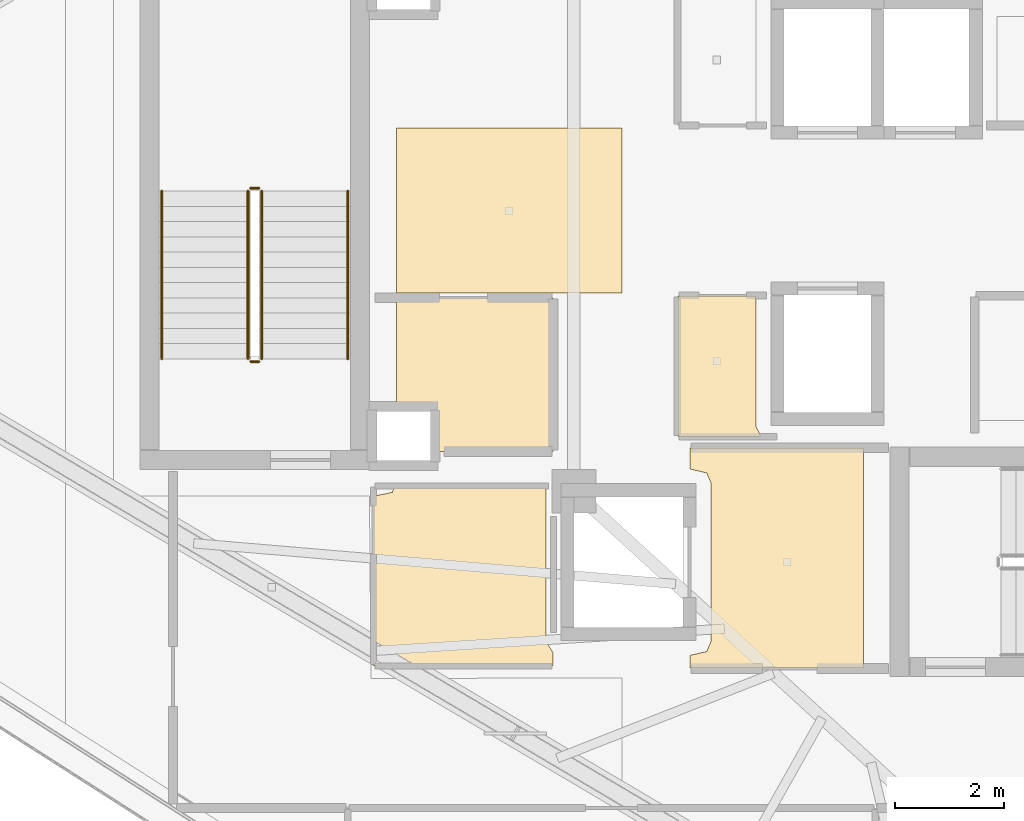
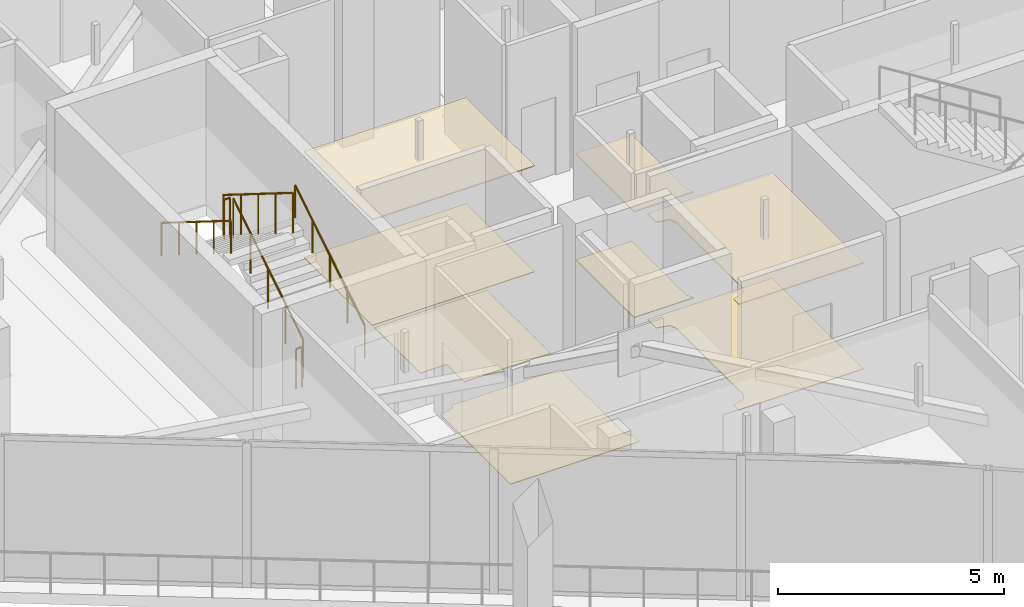
# One storey, part 27 of 30: 8 coverings, 6 railings.
"""IFC4 building model written with IfcOpenShell, lengths in metres."""

from ifc_helpers import new_model, si_unit, direction, frame, origin, origin_2d, place, context, subcontext, project, spatial, polyline, circle, outline, extrude, material, layer, layer_set, type_object, element, save


model = new_model("IFC4")

# Units and contexts
model_context = context("Model", 3, precision=1e-05, world=origin(), true_north=direction((0.0, 1.0)))
body_context = subcontext(model_context, "Body", "Model", "MODEL_VIEW")
ifc_project = project(units=[si_unit("LENGTHUNIT", "METRE"), si_unit("AREAUNIT", "SQUARE_METRE"), si_unit("VOLUMEUNIT", "CUBIC_METRE"), si_unit("PLANEANGLEUNIT", "RADIAN"), si_unit("MASSUNIT", "GRAM", prefix="KILO")], contexts=[model_context])

# Site, building, storey
site_placement = place(None, origin())
site = spatial("IfcSite", under=ifc_project, at=site_placement, CompositionType="ELEMENT")
building_placement = place(site_placement, origin())
building = spatial("IfcBuilding", under=site, at=building_placement, Name="Qorvath Tower", CompositionType="ELEMENT")
storey_placement = place(building_placement, frame((0.0, 0.0, 289.199951171875)))
storey = spatial("IfcBuildingStorey", under=building, at=storey_placement, Name="L67", CompositionType="ELEMENT", Elevation=289.199951171875)

# Coverings
ifc_material_1 = material(Name="Acoustic mineral fibre ceiling tile", Category="gypsum")
ifc_layer_1 = layer(ifc_material_1, 0.030029296875)
ifc_layer_set_1 = layer_set([ifc_layer_1], Name="COV-CEIL")
covering_type_1 = type_object("IfcCoveringType", Name="COV-CEIL", PredefinedType="CEILING", material=ifc_layer_set_1)
covering_1_placement = place(storey_placement, frame((0.0, 0.0, 2.85009765625)))
element("IfcCovering", 1, at=covering_1_placement, inside=storey, type_object=covering_type_1, Name="L67 Suspended Acoustic Ceiling 002", PredefinedType="CEILING", context=body_context, shape_type="SweptSolid", body=[
    extrude(outline(polyline([(-25.18994140625, -8.39501953125), (-25.18994140625, -4.35498046875), (-28.375, -4.35498046875), (-28.375, -4.739990234375), (-28.063232421875, -4.813232421875), (-27.989990234375, -4.989990234375), (-27.989990234375, -7.909912109375), (-28.063232421875, -8.086669921875), (-28.375, -8.159912109375), (-28.375, -8.39501953125), (-25.18994140625, -8.39501953125)])), origin(), (0.0, 0.0, 1.0), 0.030029296875),
])
covering_2_placement = place(storey_placement, frame((0.0, 0.0, 2.85009765625)))
element("IfcCovering", 2, at=covering_2_placement, inside=storey, type_object=covering_type_1, Name="L67 Suspended Acoustic Ceiling 006", PredefinedType="CEILING", context=body_context, shape_type="SweptSolid", body=[
    extrude(outline(polyline([(-27.06689453125, -4.14501953125), (-27.159912109375, -3.9599609375), (-27.159912109375, -1.56494140625), (-28.594970703125, -1.56494140625), (-28.594970703125, -4.14501953125), (-27.06689453125, -4.14501953125)])), origin(), (0.0, 0.0, 1.0), 0.030029296875),
])
covering_3_placement = place(storey_placement, frame((0.0, 0.0, 2.85009765625)))
element("IfcCovering", 3, at=covering_3_placement, inside=storey, type_object=covering_type_1, Name="L67 Suspended Acoustic Ceiling 012", PredefinedType="CEILING", context=body_context, shape_type="SweptSolid", body=[
    extrude(outline(polyline([(-29.614990234375, -1.514892578125), (-29.614990234375, 1.514892578125), (-33.760009765625, 1.514892578125), (-33.760009765625, -1.514892578125), (-29.614990234375, -1.514892578125)])), origin(), (0.0, 0.0, 1.0), 0.030029296875),
])
ifc_material_2 = material(Name="Low-VOC modular carpet tile", Category="textile")
ifc_layer_2 = layer(ifc_material_2, 0.014892578125)
ifc_layer_set_2 = layer_set([ifc_layer_2], Name="COV-FLOOR-CPT")
covering_type_2 = type_object("IfcCoveringType", Name="COV-FLOOR-CPT", PredefinedType="FLOORING", material=ifc_layer_set_2)
covering_4_placement = place(storey_placement, origin())
element("IfcCovering", 4, at=covering_4_placement, inside=storey, type_object=covering_type_2, Name="L67 Floor Finish 006", PredefinedType="FLOORING", context=body_context, shape_type="SweptSolid", body=[
    extrude(outline(polyline([(-27.06689453125, -4.14501953125), (-27.159912109375, -3.9599609375), (-27.159912109375, -1.56494140625), (-28.594970703125, -1.56494140625), (-28.594970703125, -4.14501953125), (-27.06689453125, -4.14501953125)])), origin(), (0.0, 0.0, 1.0), 0.01513671875),
])
covering_5_placement = place(storey_placement, origin())
element("IfcCovering", 5, at=covering_5_placement, inside=storey, type_object=covering_type_2, Name="L67 Floor Finish 009", PredefinedType="FLOORING", context=body_context, shape_type="SweptSolid", body=[
    extrude(outline(polyline([(-30.885009765625, -4.4150390625), (-30.885009765625, -1.60498046875), (-33.760009765625, -1.60498046875), (-33.760009765625, -3.636962890625), (-33.08837890625, -3.638427734375), (-33.0869140625, -4.4150390625), (-30.885009765625, -4.4150390625)])), origin(), (0.0, 0.0, 1.0), 0.01513671875),
])
ifc_material_3 = material(Name="Polished epoxy terrazzo flooring", Category="concrete")
ifc_layer_3 = layer(ifc_material_3, 0.02001953125)
ifc_layer_set_3 = layer_set([ifc_layer_3], Name="COV-FLOOR-TRZ")
covering_type_3 = type_object("IfcCoveringType", Name="COV-FLOOR-TRZ", PredefinedType="FLOORING", material=ifc_layer_set_3)
covering_6_placement = place(storey_placement, origin())
element("IfcCovering", 6, at=covering_6_placement, inside=storey, type_object=covering_type_3, Name="L67 Floor Finish 002", PredefinedType="FLOORING", context=body_context, shape_type="SweptSolid", body=[
    extrude(outline(polyline([(-25.18994140625, -8.39501953125), (-25.18994140625, -4.35498046875), (-28.375, -4.35498046875), (-28.375, -4.739990234375), (-28.063232421875, -4.813232421875), (-27.989990234375, -4.989990234375), (-27.989990234375, -7.909912109375), (-28.063232421875, -8.086669921875), (-28.375, -8.159912109375), (-28.375, -8.39501953125), (-25.18994140625, -8.39501953125)])), origin(), (0.0, 0.0, 1.0), 0.01513671875),
])
covering_7_placement = place(storey_placement, origin())
element("IfcCovering", 7, at=covering_7_placement, inside=storey, type_object=covering_type_3, Name="L67 Floor Finish 008", PredefinedType="FLOORING", context=body_context, shape_type="SweptSolid", body=[
    extrude(outline(polyline([(-30.885009765625, -8.108154296875), (-31.010009765625, -7.909912109375), (-31.010009765625, -5.054931640625), (-33.786865234375, -5.054931640625), (-33.833251953125, -5.166748046875), (-34.175048828125, -5.239990234375), (-34.175048828125, -8.344970703125), (-30.885009765625, -8.344970703125), (-30.885009765625, -8.108154296875)])), origin(), (0.0, 0.0, 1.0), 0.01513671875),
])
covering_8_placement = place(storey_placement, origin())
element("IfcCovering", 8, at=covering_8_placement, inside=storey, type_object=covering_type_3, Name="L67 Floor Finish 012", PredefinedType="FLOORING", context=body_context, shape_type="SweptSolid", body=[
    extrude(outline(polyline([(-29.614990234375, -1.514892578125), (-29.614990234375, 1.514892578125), (-33.760009765625, 1.514892578125), (-33.760009765625, -1.514892578125), (-29.614990234375, -1.514892578125)])), origin(), (0.0, 0.0, 1.0), 0.01513671875),
])

# Railings
ifc_material_4 = material(Name="Painted galvanised steel", Category="steel")
railing_type_1 = type_object("IfcRailingType", Name="RL-STR-GRD", PredefinedType="GUARDRAIL", material=ifc_material_4)
railing_1_placement = place(storey_placement, frame((-36.22998046875, -2.719970703125, 0.175048828125)))
element("IfcRailing", 9, at=railing_1_placement, inside=storey, type_object=railing_type_1, Name="L67 TS3 stair guard 1", PredefinedType="GUARDRAIL", context=body_context, shape_type="SweptSolid", body=[
    extrude(circle(Radius=0.02392578125, at=origin_2d()), frame((0.0, 0.0, 1.076171875), z_axis=(0.0, 0.847998304005, 0.529998940003), x_axis=(-1.0, 0.0, 0.0)), (0.0, 0.0, 1.0), 3.632080078125),
    extrude(circle(Radius=0.02099609375, at=origin_2d()), origin(), (0.0, 0.0, 1.0), 1.052001953125),
    extrude(circle(Radius=0.02099609375, at=origin_2d()), frame((0.0, 0.77001953125, 0.481201171875)), (0.0, 0.0, 1.0), 1.052001953125),
    extrude(circle(Radius=0.02099609375, at=origin_2d()), frame((0.0, 1.5400390625, 0.96240234375)), (0.0, 0.0, 1.0), 1.052001953125),
    extrude(circle(Radius=0.02099609375, at=origin_2d()), frame((0.0, 2.31005859375, 1.44384765625)), (0.0, 0.0, 1.0), 1.052001953125),
    extrude(circle(Radius=0.02099609375, at=origin_2d()), frame((0.0, 3.080078125, 1.925048828125)), (0.0, 0.0, 1.0), 1.052001953125),
])
railing_2_placement = place(storey_placement, frame((-36.280029296875, 0.409912109375, 2.10009765625)))
element("IfcRailing", 10, at=railing_2_placement, inside=storey, type_object=railing_type_1, Name="L67 TS3 stair guard 2", PredefinedType="GUARDRAIL", context=body_context, shape_type="SweptSolid", body=[
    extrude(circle(Radius=0.02392578125, at=origin_2d()), frame((0.0, 0.0, 1.076171875), z_axis=(-1.0, 0.0, 0.0), x_axis=(0.0, -1.0, 0.0)), (0.0, 0.0, 1.0), 0.14990234375),
    extrude(circle(Radius=0.02099609375, at=origin_2d()), origin(), (0.0, 0.0, 1.0), 1.052001953125),
    extrude(circle(Radius=0.02099609375, at=origin_2d()), frame((-0.14990234375, 0.0, 0.0)), (0.0, 0.0, 1.0), 1.052001953125),
])
railing_3_placement = place(storey_placement, frame((-36.47998046875, 0.360107421875, 2.275146484375)))
element("IfcRailing", 11, at=railing_3_placement, inside=storey, type_object=railing_type_1, Name="L67 TS3 stair guard 3", PredefinedType="GUARDRAIL", context=body_context, shape_type="SweptSolid", body=[
    extrude(circle(Radius=0.02392578125, at=origin_2d()), frame((0.0, 0.0, 1.076171875), z_axis=(0.0, -0.848028513186, 0.529950602248), x_axis=(1.0, 0.0, 0.0)), (0.0, 0.0, 1.0), 3.632080078125),
    extrude(circle(Radius=0.02099609375, at=origin_2d()), origin(), (0.0, 0.0, 1.0), 1.052001953125),
    extrude(circle(Radius=0.02099609375, at=origin_2d()), frame((0.0, -0.77001953125, 0.481201171875)), (0.0, 0.0, 1.0), 1.052001953125),
    extrude(circle(Radius=0.02099609375, at=origin_2d()), frame((0.0, -1.5400390625, 0.96240234375)), (0.0, 0.0, 1.0), 1.052001953125),
    extrude(circle(Radius=0.02099609375, at=origin_2d()), frame((0.0, -2.31005859375, 1.443603515625)), (0.0, 0.0, 1.0), 1.052001953125),
    extrude(circle(Radius=0.02099609375, at=origin_2d()), frame((0.0, -3.080078125, 1.9248046875)), (0.0, 0.0, 1.0), 1.052001953125),
])
railing_4_placement = place(storey_placement, frame((-36.280029296875, -2.77001953125, 0.0)))
element("IfcRailing", 12, at=railing_4_placement, inside=storey, type_object=railing_type_1, Name="L67 TS3 stair guard 4", PredefinedType="GUARDRAIL", context=body_context, shape_type="SweptSolid", body=[
    extrude(circle(Radius=0.02392578125, at=origin_2d()), frame((0.0, 0.0, 1.076171875), z_axis=(-1.0, 0.0, 0.0), x_axis=(0.0, -1.0, 0.0)), (0.0, 0.0, 1.0), 0.14990234375),
    extrude(circle(Radius=0.02099609375, at=origin_2d()), origin(), (0.0, 0.0, 1.0), 1.052001953125),
    extrude(circle(Radius=0.02099609375, at=origin_2d()), frame((-0.14990234375, 0.0, 0.0)), (0.0, 0.0, 1.0), 1.052001953125),
])
ifc_material_5 = material(Name="Brushed stainless steel AISI 304", Category="steel")
railing_type_2 = type_object("IfcRailingType", Name="RL-STR-HND", PredefinedType="HANDRAIL", material=ifc_material_5)
railing_5_placement = place(storey_placement, frame((-34.64990234375, -2.719970703125, 0.175048828125)))
element("IfcRailing", 13, at=railing_5_placement, inside=storey, type_object=railing_type_2, Name="L67 TS3 stair handrail 1", PredefinedType="HANDRAIL", context=body_context, shape_type="SweptSolid", body=[
    extrude(circle(Radius=0.02392578125, at=origin_2d()), frame((0.0, 0.0, 0.8759765625), z_axis=(0.0, 0.847998304005, 0.529998940003), x_axis=(-1.0, 0.0, 0.0)), (0.0, 0.0, 1.0), 3.632080078125),
    extrude(circle(Radius=0.02099609375, at=origin_2d()), origin(), (0.0, 0.0, 1.0), 0.851806640625),
    extrude(circle(Radius=0.02099609375, at=origin_2d()), frame((0.0, 0.77001953125, 0.481201171875)), (0.0, 0.0, 1.0), 0.851806640625),
    extrude(circle(Radius=0.02099609375, at=origin_2d()), frame((0.0, 1.5400390625, 0.96240234375)), (0.0, 0.0, 1.0), 0.851806640625),
    extrude(circle(Radius=0.02099609375, at=origin_2d()), frame((0.0, 2.31005859375, 1.44384765625)), (0.0, 0.0, 1.0), 0.851806640625),
    extrude(circle(Radius=0.02099609375, at=origin_2d()), frame((0.0, 3.080078125, 1.925048828125)), (0.0, 0.0, 1.0), 0.851806640625),
])
railing_6_placement = place(storey_placement, frame((-38.06005859375, 0.360107421875, 2.275146484375)))
element("IfcRailing", 14, at=railing_6_placement, inside=storey, type_object=railing_type_2, Name="L67 TS3 stair handrail 2", PredefinedType="HANDRAIL", context=body_context, shape_type="SweptSolid", body=[
    extrude(circle(Radius=0.02392578125, at=origin_2d()), frame((0.0, 0.0, 0.8759765625), z_axis=(0.0, -0.848028513186, 0.529950602248), x_axis=(1.0, 0.0, 0.0)), (0.0, 0.0, 1.0), 3.632080078125),
    extrude(circle(Radius=0.02099609375, at=origin_2d()), origin(), (0.0, 0.0, 1.0), 0.851806640625),
    extrude(circle(Radius=0.02099609375, at=origin_2d()), frame((0.0, -0.77001953125, 0.481201171875)), (0.0, 0.0, 1.0), 0.851806640625),
    extrude(circle(Radius=0.02099609375, at=origin_2d()), frame((0.0, -1.5400390625, 0.96240234375)), (0.0, 0.0, 1.0), 0.851806640625),
    extrude(circle(Radius=0.02099609375, at=origin_2d()), frame((0.0, -2.31005859375, 1.443603515625)), (0.0, 0.0, 1.0), 0.851806640625),
    extrude(circle(Radius=0.02099609375, at=origin_2d()), frame((0.0, -3.080078125, 1.9248046875)), (0.0, 0.0, 1.0), 0.851806640625),
])

save(model, "model.ifc")
